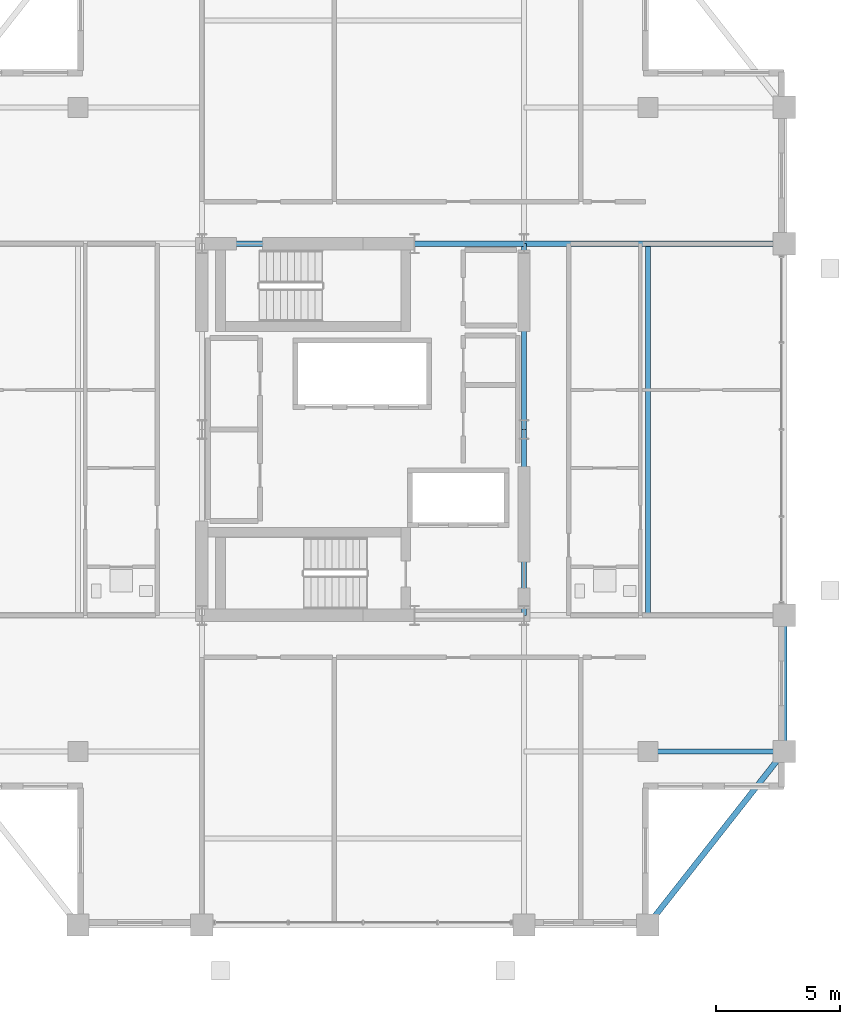
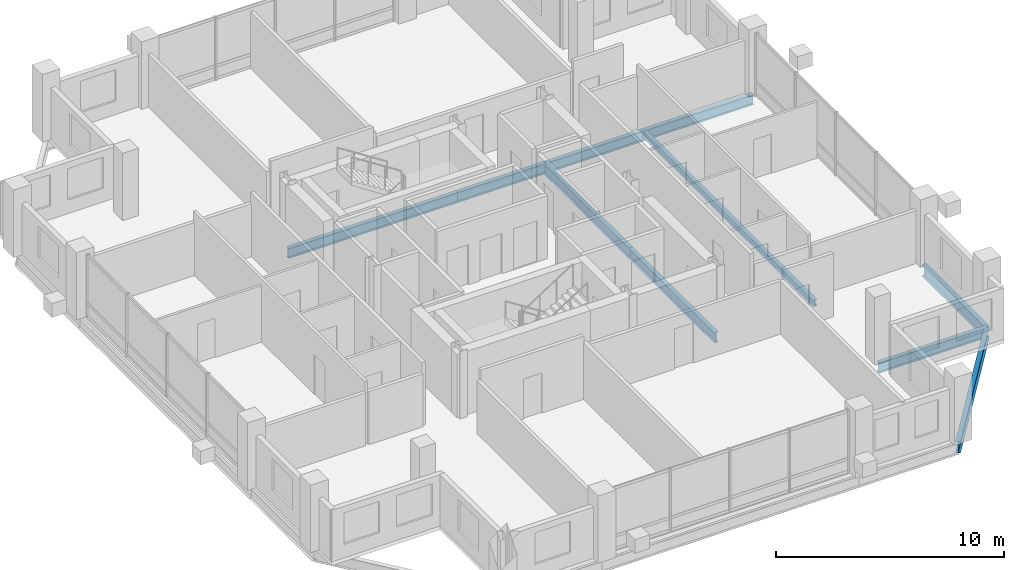
# One storey, part 9 of 21: 9 beams.
"""IFC4 building model written with IfcOpenShell, lengths in metres."""

from ifc_helpers import new_model, si_unit, direction, frame, origin, origin_2d, place, context, subcontext, project, spatial, i_section, extrude, material, material_profile, profile_set, type_object, element, save


model = new_model("IFC4")

# Units and contexts
model_context = context("Model", 3, precision=1e-05, world=origin(), true_north=direction((0.0, 1.0)))
body_context = subcontext(model_context, "Body", "Model", "MODEL_VIEW")
ifc_project = project(units=[si_unit("LENGTHUNIT", "METRE"), si_unit("AREAUNIT", "SQUARE_METRE"), si_unit("VOLUMEUNIT", "CUBIC_METRE"), si_unit("PLANEANGLEUNIT", "RADIAN"), si_unit("MASSUNIT", "GRAM", prefix="KILO")], contexts=[model_context])

# Site, building, storey
site_placement = place(None, origin())
site = spatial("IfcSite", under=ifc_project, at=site_placement, CompositionType="ELEMENT")
building_placement = place(site_placement, origin())
building = spatial("IfcBuilding", under=site, at=building_placement, Name="Barlavira Tower and Art Museum", CompositionType="ELEMENT")
storey_placement = place(building_placement, frame((0.0, 0.0, 287.10009765625)))
storey = spatial("IfcBuildingStorey", under=building, at=storey_placement, Name="L75", CompositionType="ELEMENT", Elevation=287.10009765625)

# Beams
ifc_material = material(Name="Steel S355", Category="steel")
ifc_material_profile_1 = material_profile(ifc_material, i_section(OverallWidth=0.22998046875, OverallDepth=0.616943359375, WebThickness=0.01318359375, FlangeThickness=0.022216796875, at=origin_2d()), Name="W610x140.0")
ifc_profile_set_1 = profile_set([ifc_material_profile_1], Name="Steel S355")
beam_type_1 = type_object("IfcBeamType", Name="Upper Shaft Spandrel Edge Beam W610x140 Steel S355", PredefinedType="SPANDREL", material=ifc_profile_set_1)
beam_1_placement = place(storey_placement, frame((11.5, -20.0, -0.528564453125), z_axis=(0.617821551932, 0.786318338822, 0.0), x_axis=(-0.786318338822, 0.617821551932, 0.0)))
element("IfcBeam", 1, at=beam_1_placement, inside=storey, type_object=beam_type_1, Name="L75 Spandrel 4", PredefinedType="SPANDREL", context=body_context, shape_type="SweptSolid", body=[
    extrude(i_section(OverallWidth=0.22998046875, OverallDepth=0.616943359375, WebThickness=0.01318359375, FlangeThickness=0.022216796875, at=origin_2d()), origin(), (0.0, 0.0, 1.0), 8.90234375),
])
beam_2_placement = place(storey_placement, frame((17.0, -13.0, -0.528564453125), z_axis=(0.0, 1.0, 0.0), x_axis=(-1.0, 0.0, 0.0)))
element("IfcBeam", 2, at=beam_2_placement, inside=storey, type_object=beam_type_1, Name="L75 Spandrel 5", PredefinedType="SPANDREL", context=body_context, shape_type="SweptSolid", body=[
    extrude(i_section(OverallWidth=0.22998046875, OverallDepth=0.616943359375, WebThickness=0.01318359375, FlangeThickness=0.022216796875, at=origin_2d()), origin(), (0.0, 0.0, 1.0), 5.5),
])
ifc_material_profile_2 = material_profile(ifc_material, i_section(OverallWidth=0.2109375, OverallDepth=0.5390625, WebThickness=0.01171875, FlangeThickness=0.018798828125, at=origin_2d()), Name="W530x109.0")
ifc_profile_set_2 = profile_set([ifc_material_profile_2], Name="Steel S355")
beam_type_2 = type_object("IfcBeamType", Name="Zone 3-4 Primary Floor Girder W530x109 Steel S355", PredefinedType="BEAM", material=ifc_profile_set_2)
beam_3_placement = place(storey_placement, frame((-6.5, 7.5, -0.489501953125), z_axis=(1.0, 0.0, 0.0), x_axis=(0.0, 1.0, 0.0)))
element("IfcBeam", 3, at=beam_3_placement, inside=storey, type_object=beam_type_2, Name="L75 Girder C-N1", PredefinedType="BEAM", context=body_context, shape_type="SweptSolid", body=[
    extrude(i_section(OverallWidth=0.2109375, OverallDepth=0.5390625, WebThickness=0.01171875, FlangeThickness=0.018798828125, at=origin_2d()), origin(), (0.0, 0.0, 1.0), 8.580078125),
])
beam_4_placement = place(storey_placement, frame((2.080078125, 7.5, -0.489501953125), z_axis=(1.0, 0.0, 0.0), x_axis=(0.0, 1.0, 0.0)))
element("IfcBeam", 4, at=beam_4_placement, inside=storey, type_object=beam_type_2, Name="L75 Girder C-N2", PredefinedType="BEAM", context=body_context, shape_type="SweptSolid", body=[
    extrude(i_section(OverallWidth=0.2109375, OverallDepth=0.5390625, WebThickness=0.01171875, FlangeThickness=0.018798828125, at=origin_2d()), origin(), (0.0, 0.0, 1.0), 4.419921875),
])
for number, where, z_axis, x_axis, name in (
    (5, (6.5, -7.5, -0.489501953125), (0.0, 1.0, 0.0), (-1.0, 0.0, 0.0), "L75 Girder C-E1"),
    (6, (6.5, 0.0, -0.489501953125), (0.0, 1.0, 0.0), (-1.0, 0.0, 0.0), "L75 Girder C-E2"),
):
    element("IfcBeam", number, at=place(storey_placement, frame(where, z_axis=z_axis, x_axis=x_axis)), inside=storey, type_object=beam_type_2, Name=name, PredefinedType="BEAM", context=body_context, shape_type="SweptSolid", body=[
        extrude(i_section(OverallWidth=0.2109375, OverallDepth=0.5390625, WebThickness=0.01171875, FlangeThickness=0.018798828125, at=origin_2d()), origin(), (0.0, 0.0, 1.0), 7.5),
    ])
beam_5_placement = place(storey_placement, frame((6.5, 7.5, -0.489501953125), z_axis=(1.0, 0.0, 0.0), x_axis=(0.0, 1.0, 0.0)))
element("IfcBeam", 7, at=beam_5_placement, inside=storey, type_object=beam_type_2, Name="L75 Girder R-E2", PredefinedType="BEAM", context=body_context, shape_type="SweptSolid", body=[
    extrude(i_section(OverallWidth=0.2109375, OverallDepth=0.5390625, WebThickness=0.01171875, FlangeThickness=0.018798828125, at=origin_2d()), origin(), (0.0, 0.0, 1.0), 10.5),
])
beam_6_placement = place(storey_placement, frame((11.5, -13.0, -0.489501953125), z_axis=(1.0, 0.0, 0.0), x_axis=(0.0, 1.0, 0.0)))
element("IfcBeam", 8, at=beam_6_placement, inside=storey, type_object=beam_type_2, Name="L75 Girder I-S4", PredefinedType="BEAM", context=body_context, shape_type="SweptSolid", body=[
    extrude(i_section(OverallWidth=0.2109375, OverallDepth=0.5390625, WebThickness=0.01171875, FlangeThickness=0.018798828125, at=origin_2d()), origin(), (0.0, 0.0, 1.0), 5.5),
])
ifc_material_profile_3 = material_profile(ifc_material, i_section(OverallWidth=0.202880859375, OverallDepth=0.346923828125, WebThickness=0.0078125, FlangeThickness=0.013427734375, at=origin_2d()), Name="W360x64.0")
ifc_profile_set_3 = profile_set([ifc_material_profile_3], Name="Steel S355")
beam_type_3 = type_object("IfcBeamType", Name="Zone 4 Composite Floor Joist W360x64 Steel S355", PredefinedType="JOIST", material=ifc_profile_set_3)
beam_7_placement = place(storey_placement, frame((11.5, -7.5, -0.3935546875), z_axis=(0.0, 1.0, 0.0), x_axis=(-1.0, 0.0, 0.0)))
element("IfcBeam", 9, at=beam_7_placement, inside=storey, type_object=beam_type_3, Name="L75 Joist W2", PredefinedType="JOIST", context=body_context, shape_type="SweptSolid", body=[
    extrude(i_section(OverallWidth=0.202880859375, OverallDepth=0.346923828125, WebThickness=0.0078125, FlangeThickness=0.013427734375, at=origin_2d()), origin(), (0.0, 0.0, 1.0), 15.0),
])

save(model, "model.ifc")
